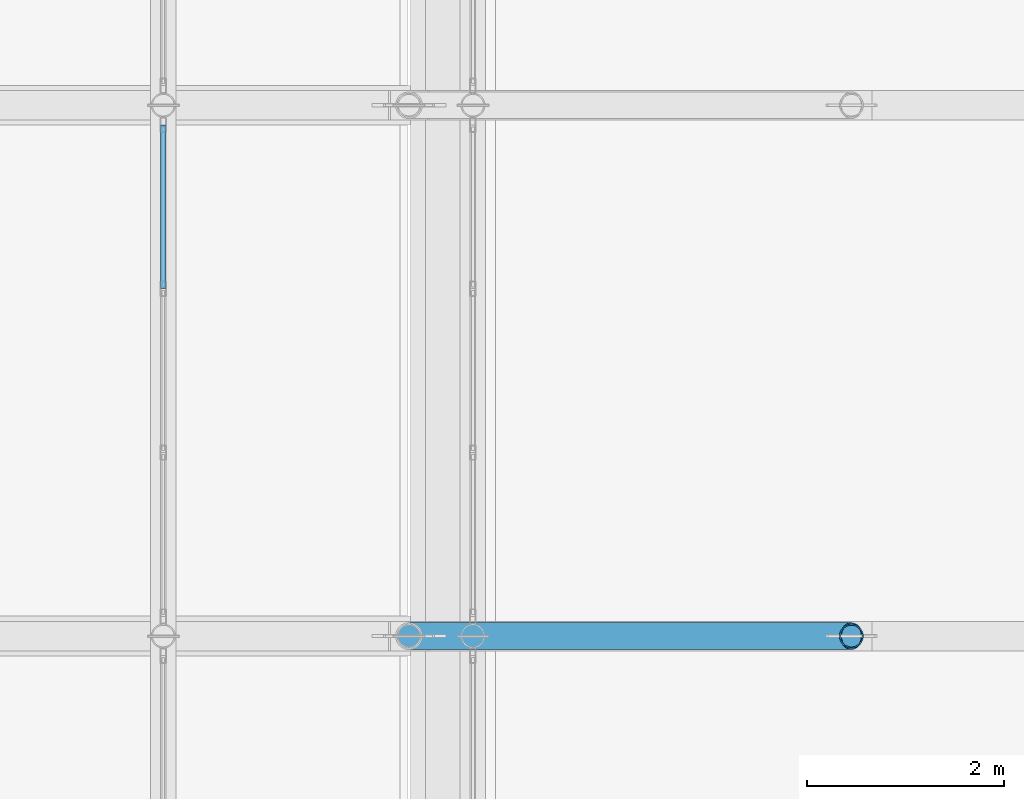
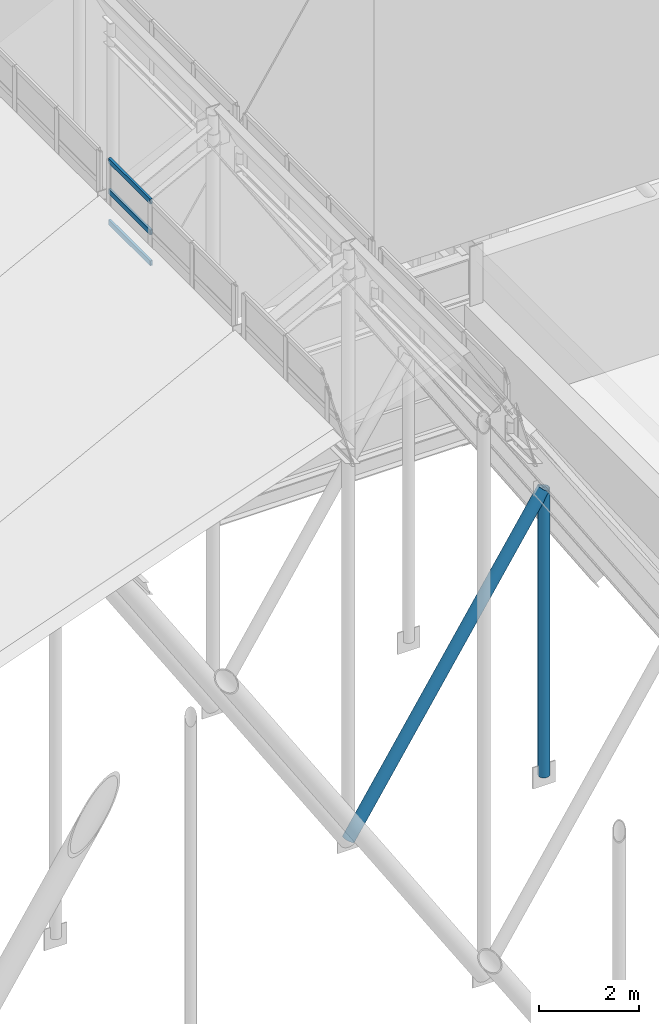
# One storey, part 21 of 84: 5 members, 1 element without a shape of its own.
"""IFC4 building model written with IfcOpenShell, lengths in metres."""

from ifc_helpers import new_model, si_unit, direction, frame, origin, origin_2d, place, context, subcontext, project, spatial, hollow_rectangle, hollow_circle, extrude, material, layer, layer_set, material_profile, profile_set, type_object, element, aggregate, save


model = new_model("IFC4")

# Units and contexts
model_context = context("Model", 3, precision=1e-05, world=origin(), true_north=direction((0.0, 1.0)))
body_context = subcontext(model_context, "Body", "Model", "MODEL_VIEW")
ifc_project = project(units=[si_unit("LENGTHUNIT", "METRE"), si_unit("AREAUNIT", "SQUARE_METRE"), si_unit("VOLUMEUNIT", "CUBIC_METRE"), si_unit("PLANEANGLEUNIT", "RADIAN"), si_unit("MASSUNIT", "GRAM", prefix="KILO")], contexts=[model_context])

# Site, building, storey
site_placement = place(None, origin())
site = spatial("IfcSite", under=ifc_project, at=site_placement, CompositionType="ELEMENT")
building_placement = place(site_placement, origin())
building = spatial("IfcBuilding", under=site, at=building_placement, Name="Sundgate Opera House", CompositionType="ELEMENT")
storey_placement = place(building_placement, frame((0.0, 0.0, 30.60009765625)))
storey = spatial("IfcBuildingStorey", under=building, at=storey_placement, Name="L06", CompositionType="ELEMENT", Elevation=30.60009765625)

# Curtain wall, members
ifc_material_1 = material(Name="Anodized aluminium and low-iron glass", Category="aluminium")
ifc_layer = layer(ifc_material_1, 0.169921875)
ifc_layer_set = layer_set([ifc_layer], Name="Anodized aluminium and low-iron glass")
curtain_wall_type = type_object("IfcCurtainWallType", Name="CW-LANTERN-POLY", PredefinedType="NOTDEFINED", material=ifc_layer_set)
curtain_wall_placement = place(storey_placement, origin())
curtain_wall = element("IfcCurtainWall", 1, at=curtain_wall_placement, inside=storey, type_object=curtain_wall_type, Name="L06 Curtain Wall CW175", PredefinedType="NOTDEFINED")
ifc_material_2 = material(Name="Anodized aluminium EN AW-6063", Category="aluminium")
ifc_material_profile_1 = material_profile(ifc_material_2, hollow_rectangle(XDim=0.054931640625, YDim=0.1201171875, WallThickness=0.00390625, at=origin_2d()), Name="CWT 120x55x4")
ifc_profile_set_1 = profile_set([ifc_material_profile_1], Name="Anodized aluminium EN AW-6063")
member_type_1 = type_object("IfcMemberType", Name="CWT-ALU-120x55", PredefinedType="USERDEFINED", material=ifc_profile_set_1)
member_1_placement = place(storey_placement, frame((51.5, 54.39990234375, 12.0), z_axis=(0.0, -1.0, 0.0), x_axis=(1.0, 0.0, 0.0)))
member_1 = element("IfcMember", 2, at=member_1_placement, type_object=member_type_1, Name="CW175 Transom 1", ObjectType="TRANSOM", PredefinedType="USERDEFINED", context=body_context, shape_type="SweptSolid", body=[
    extrude(hollow_rectangle(XDim=0.054931640625, YDim=0.1201171875, WallThickness=0.00390625, at=origin_2d()), origin(), (0.0, 0.0, 1.0), 1.66650390625),
])
member_2_placement = place(storey_placement, frame((51.5, 54.39990234375, 12.75), z_axis=(0.0, -1.0, 0.0), x_axis=(1.0, 0.0, 0.0)))
member_2 = element("IfcMember", 3, at=member_2_placement, type_object=member_type_1, Name="CW175 Transom 2", ObjectType="TRANSOM", PredefinedType="USERDEFINED", context=body_context, shape_type="SweptSolid", body=[
    extrude(hollow_rectangle(XDim=0.054931640625, YDim=0.1201171875, WallThickness=0.00390625, at=origin_2d()), origin(), (0.0, 0.0, 1.0), 1.66650390625),
])
member_3_placement = place(storey_placement, frame((51.5, 54.39990234375, 13.5), z_axis=(0.0, -1.0, 0.0), x_axis=(1.0, 0.0, 0.0)))
member_3 = element("IfcMember", 4, at=member_3_placement, type_object=member_type_1, Name="CW175 Transom 3", ObjectType="TRANSOM", PredefinedType="USERDEFINED", context=body_context, shape_type="SweptSolid", body=[
    extrude(hollow_rectangle(XDim=0.054931640625, YDim=0.1201171875, WallThickness=0.00390625, at=origin_2d()), origin(), (0.0, 0.0, 1.0), 1.66650390625),
])
aggregate(curtain_wall, [member_1, member_2, member_3])

# Members
ifc_material_3 = material(Name="Steel S355J2", Category="steel")
ifc_material_profile_2 = material_profile(ifc_material_3, hollow_circle(Radius=0.122314453125, WallThickness=0.012451171875, at=origin_2d()), Name="CHS 244.5x12.5")
ifc_profile_set_2 = profile_set([ifc_material_profile_2], Name="Steel S355J2")
member_type_2 = type_object("IfcMemberType", Name="MB-STRUT-CHS244", PredefinedType="STRUT", material=ifc_profile_set_2)
member_4_placement = place(storey_placement, frame((58.5, 49.199951171875, -0.760009765625), z_axis=(0.0, 0.0, 1.0), x_axis=(1.0, 0.0, 0.0)))
element("IfcMember", 5, at=member_4_placement, inside=storey, type_object=member_type_2, Name="L06 Auditorium Truss Vertical Post M0104", PredefinedType="STRUT", context=body_context, shape_type="SweptSolid", body=[
    extrude(hollow_circle(Radius=0.122314453125, WallThickness=0.012451171875, at=origin_2d()), origin(), (0.0, 0.0, 1.0), 6.97998046875),
])
ifc_material_4 = material(Name="Steel S355J2", Category="steel")
ifc_material_profile_3 = material_profile(ifc_material_4, hollow_circle(Radius=0.136474609375, WallThickness=0.01611328125, at=origin_2d()), Name="CHS 273.0x16.0")
ifc_profile_set_3 = profile_set([ifc_material_profile_3], Name="Steel S355J2")
member_type_3 = type_object("IfcMemberType", Name="MB-STRUT-CHS273", PredefinedType="STRUT", material=ifc_profile_set_3)
member_5_placement = place(storey_placement, frame((54.0, 49.199951171875, -0.760009765625), z_axis=(0.541853645841, 0.0, 0.840472858865), x_axis=(0.0, 1.0, 0.0)))
element("IfcMember", 6, at=member_5_placement, inside=storey, type_object=member_type_3, Name="L06 Auditorium Warren Web Strut M0098", PredefinedType="STRUT", context=body_context, shape_type="SweptSolid", body=[
    extrude(hollow_circle(Radius=0.136474609375, WallThickness=0.01611328125, at=origin_2d()), origin(), (0.0, 0.0, 1.0), 8.304931640625),
])

save(model, "model.ifc")
